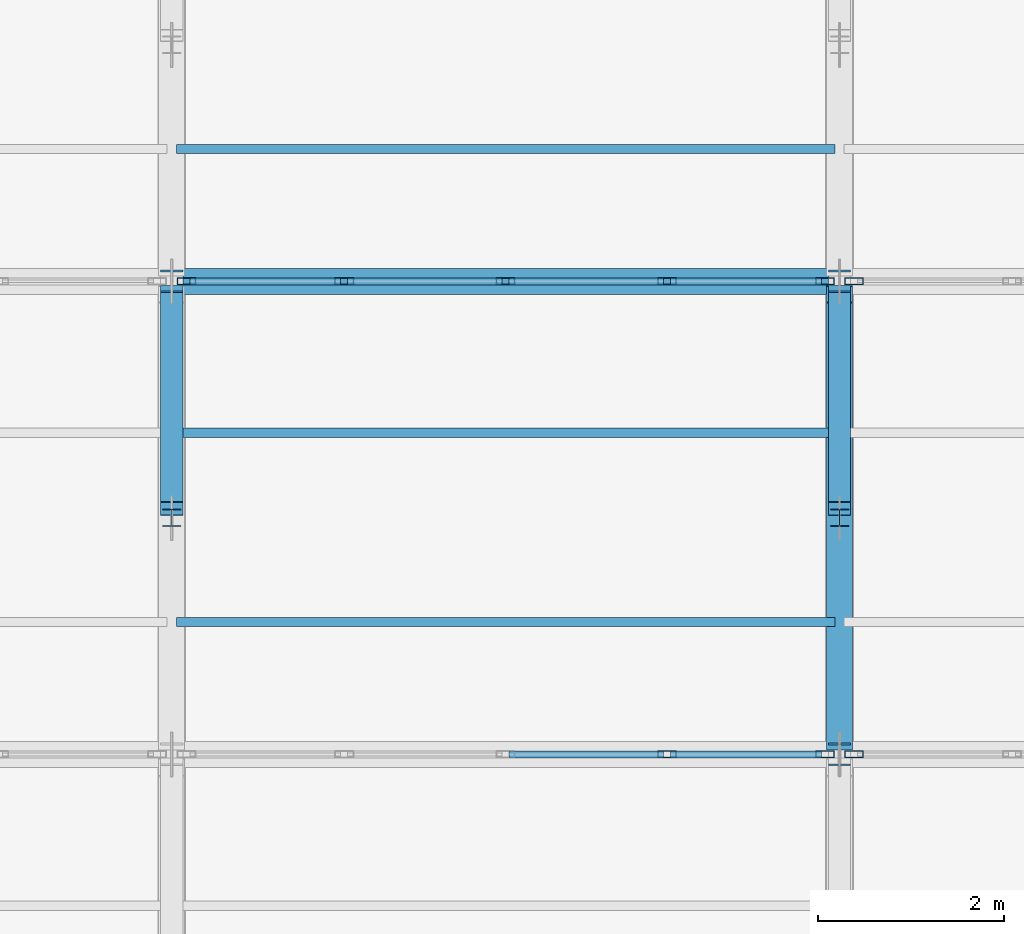
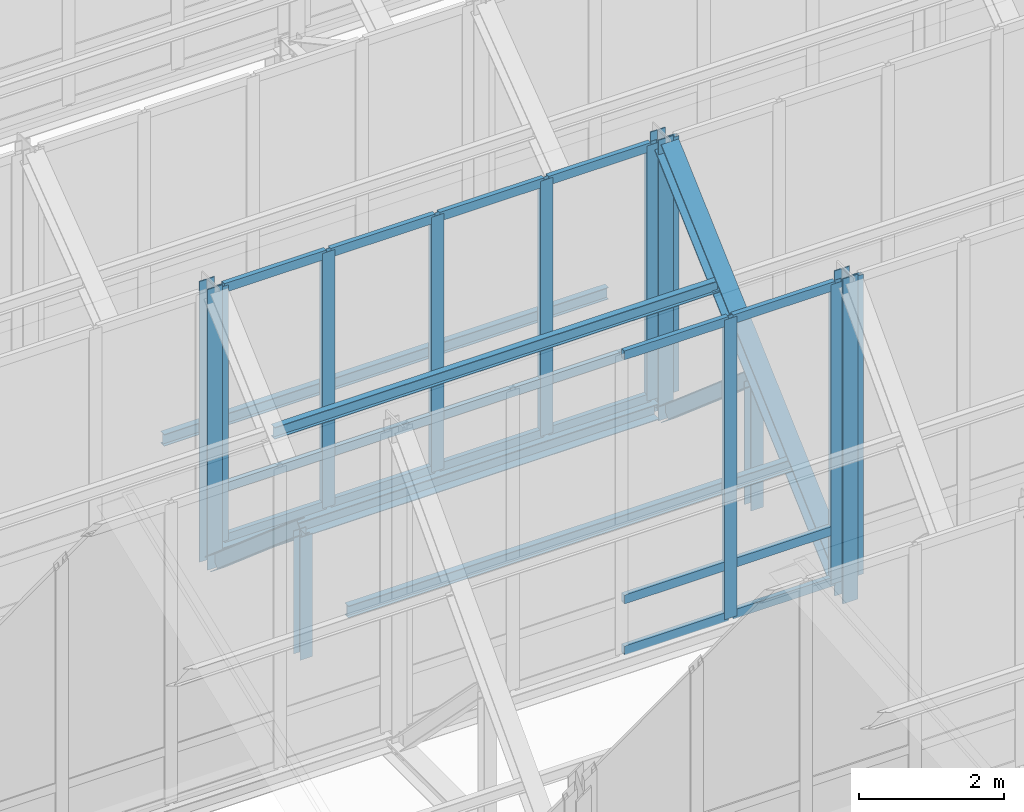
# One storey, part 53 of 157: 38 members, 1 beam, 4 elements without a shape of their own.
"""IFC4 building model written with IfcOpenShell, lengths in metres."""

from ifc_helpers import new_model, si_unit, direction, frame, origin, origin_2d, place, context, subcontext, project, spatial, hollow_rectangle, i_section, extrude, material, material_profile, profile_set, type_object, element, aggregate, save


model = new_model("IFC4")

# Units and contexts
model_context = context("Model", 3, precision=1e-05, world=origin(), true_north=direction((0.0, 1.0)))
body_context = subcontext(model_context, "Body", "Model", "MODEL_VIEW")
ifc_project = project(units=[si_unit("LENGTHUNIT", "METRE"), si_unit("AREAUNIT", "SQUARE_METRE"), si_unit("VOLUMEUNIT", "CUBIC_METRE"), si_unit("PLANEANGLEUNIT", "RADIAN"), si_unit("MASSUNIT", "GRAM", prefix="KILO")], contexts=[model_context])

# Site, building, storey
site_placement = place(None, origin())
site = spatial("IfcSite", under=ifc_project, at=site_placement, CompositionType="ELEMENT")
building_placement = place(site_placement, origin())
building = spatial("IfcBuilding", under=site, at=building_placement, Name="Suanplinth Sawtooth Commons", CompositionType="ELEMENT")
storey_placement = place(building_placement, frame((0.0, 0.0, 9.0)))
storey = spatial("IfcBuildingStorey", under=building, at=storey_placement, Name="L02", CompositionType="ELEMENT", Elevation=9.0)

# Beam
ifc_material_1 = material(Name="Steel S355JR", Category="steel")
ifc_material_profile_1 = material_profile(ifc_material_1, i_section(OverallWidth=0.280029296875, OverallDepth=0.27001953125, WebThickness=0.008056640625, FlangeThickness=0.012939453125, at=origin_2d()), Name="HEA 280")
ifc_profile_set_1 = profile_set([ifc_material_profile_1], Name="Steel S355JR")
beam_type = type_object("IfcBeamType", Name="B-16", PredefinedType="USERDEFINED", material=ifc_profile_set_1)
beam_placement = place(storey_placement, frame((86.52001953125, 75.89990234375, 2.820068359375), z_axis=(1.0, 0.0, 0.0), x_axis=(0.0, 1.0, 0.0)))
element("IfcBeam", 1, at=beam_placement, inside=storey, type_object=beam_type, Name="Sawtooth Valley Girder T6-B4", ObjectType="GIRDER", PredefinedType="USERDEFINED", context=body_context, shape_type="SweptSolid", body=[
    extrude(i_section(OverallWidth=0.280029296875, OverallDepth=0.27001953125, WebThickness=0.008056640625, FlangeThickness=0.012939453125, at=origin_2d()), origin(), (0.0, 0.0, 1.0), 6.9599609375),
])

# Members
ifc_material_profile_2 = material_profile(ifc_material_1, i_section(OverallWidth=0.280029296875, OverallDepth=0.280029296875, WebThickness=0.010498046875, FlangeThickness=0.01806640625, at=origin_2d()), Name="HEB 280")
ifc_profile_set_2 = profile_set([ifc_material_profile_2], Name="Steel S355JR")
member_type_1 = type_object("IfcMemberType", Name="M-02", PredefinedType="CHORD", material=ifc_profile_set_2)
member_1_placement = place(storey_placement, frame((93.60009765625, 70.93994140625, 2.919921875), z_axis=(0.0, 0.740839311711, 0.671682301556), x_axis=(-1.0, 0.0, 0.0)))
element("IfcMember", 2, at=member_1_placement, inside=storey, type_object=member_type_1, Name="Sawtooth Truss T5 Top Chord 5", PredefinedType="CHORD", context=body_context, shape_type="SweptSolid", body=[
    extrude(i_section(OverallWidth=0.280029296875, OverallDepth=0.280029296875, WebThickness=0.010498046875, FlangeThickness=0.01806640625, at=origin_2d()), origin(), (0.0, 0.0, 1.0), 6.50634765625),
])
ifc_material_profile_3 = material_profile(ifc_material_1, i_section(OverallWidth=0.239990234375, OverallDepth=0.22998046875, WebThickness=0.007568359375, FlangeThickness=0.011962890625, at=origin_2d()), Name="HEA 240")
ifc_profile_set_3 = profile_set([ifc_material_profile_3], Name="Steel S355JR")
member_type_2 = type_object("IfcMemberType", Name="M-03", PredefinedType="BRACE", material=ifc_profile_set_3)
for number, where, z_axis, x_axis, name in (
    (3, (86.39990234375, 73.449951171875, 4.7451171875), (0.0, 0.759593581641, -0.65039802485), (-1.0, 0.0, 0.0), "Sawtooth Truss T4 Web Diagonal 5"),
    (4, (93.60009765625, 73.449951171875, 4.7451171875), (0.0, 0.759593581641, -0.65039802485), (-1.0, 0.0, 0.0), "Sawtooth Truss T5 Web Diagonal 5"),
):
    element("IfcMember", number, at=place(storey_placement, frame(where, z_axis=z_axis, x_axis=x_axis)), inside=storey, type_object=member_type_2, Name=name, PredefinedType="BRACE", context=body_context, shape_type="SweptSolid", body=[
        extrude(i_section(OverallWidth=0.239990234375, OverallDepth=0.22998046875, WebThickness=0.007568359375, FlangeThickness=0.011962890625, at=origin_2d()), origin(), (0.0, 0.0, 1.0), 3.067626953125),
    ])
ifc_material_profile_4 = material_profile(ifc_material_1, i_section(OverallWidth=0.199951171875, OverallDepth=0.18994140625, WebThickness=0.006591796875, FlangeThickness=0.010009765625, at=origin_2d()), Name="HEA 200")
ifc_profile_set_4 = profile_set([ifc_material_profile_4], Name="Steel S355JR")
member_type_3 = type_object("IfcMemberType", Name="M-04", PredefinedType="BRACE", material=ifc_profile_set_4)
for number, where, z_axis, x_axis, name in (
    (5, (86.39990234375, 73.35009765625, 2.64990234375), (0.0, 0.0, 1.0), (1.0, 0.0, 0.0), "Sawtooth Truss T4 Mid Web Post 5"),
    (6, (93.60009765625, 73.35009765625, 2.64990234375), (0.0, 0.0, 1.0), (1.0, 0.0, 0.0), "Sawtooth Truss T5 Mid Web Post 5"),
):
    element("IfcMember", number, at=place(storey_placement, frame(where, z_axis=z_axis, x_axis=x_axis)), inside=storey, type_object=member_type_3, Name=name, PredefinedType="BRACE", context=body_context, shape_type="SweptSolid", body=[
        extrude(i_section(OverallWidth=0.199951171875, OverallDepth=0.18994140625, WebThickness=0.006591796875, FlangeThickness=0.010009765625, at=origin_2d()), origin(), (0.0, 0.0, 1.0), 2.0751953125),
    ])
ifc_material_profile_5 = material_profile(ifc_material_1, i_section(OverallWidth=0.239990234375, OverallDepth=0.239990234375, WebThickness=0.010009765625, FlangeThickness=0.01708984375, at=origin_2d()), Name="HEB 240")
ifc_profile_set_5 = profile_set([ifc_material_profile_5], Name="Steel S355JR")
member_type_4 = type_object("IfcMemberType", Name="M-05", PredefinedType="POST", material=ifc_profile_set_5)
member_2_placement = place(storey_placement, frame((86.39990234375, 75.89990234375, 2.64990234375), z_axis=(0.0, 0.0, 1.0), x_axis=(1.0, 0.0, 0.0)))
element("IfcMember", 7, at=member_2_placement, inside=storey, type_object=member_type_4, Name="Sawtooth Truss T4 Clerestory Post 5", PredefinedType="POST", context=body_context, shape_type="SweptSolid", body=[
    extrude(i_section(OverallWidth=0.239990234375, OverallDepth=0.239990234375, WebThickness=0.010009765625, FlangeThickness=0.01708984375, at=origin_2d()), origin(), (0.0, 0.0, 1.0), 4.739990234375),
])
member_3_placement = place(storey_placement, frame((93.60009765625, 70.800048828125, 2.64990234375), z_axis=(0.0, 0.0, 1.0), x_axis=(1.0, 0.0, 0.0)))
element("IfcMember", 8, at=member_3_placement, inside=storey, type_object=member_type_4, Name="Sawtooth Truss T5 Clerestory Post 4", PredefinedType="POST", context=body_context, shape_type="SweptSolid", body=[
    extrude(i_section(OverallWidth=0.239990234375, OverallDepth=0.239990234375, WebThickness=0.010009765625, FlangeThickness=0.01708984375, at=origin_2d()), origin(), (0.0, 0.0, 1.0), 5.489990234375),
])
member_4_placement = place(storey_placement, frame((93.60009765625, 75.89990234375, 2.64990234375), z_axis=(0.0, 0.0, 1.0), x_axis=(1.0, 0.0, 0.0)))
element("IfcMember", 9, at=member_4_placement, inside=storey, type_object=member_type_4, Name="Sawtooth Truss T5 Clerestory Post 5", PredefinedType="POST", context=body_context, shape_type="SweptSolid", body=[
    extrude(i_section(OverallWidth=0.239990234375, OverallDepth=0.239990234375, WebThickness=0.010009765625, FlangeThickness=0.01708984375, at=origin_2d()), origin(), (0.0, 0.0, 1.0), 4.739990234375),
])
ifc_material_2 = material(Name="Steel SS400", Category="steel")
ifc_material_profile_6 = material_profile(ifc_material_2, i_section(OverallWidth=0.10009765625, OverallDepth=0.199951171875, WebThickness=0.005615234375, FlangeThickness=0.008544921875, at=origin_2d()), Name="IPE 200")
ifc_profile_set_6 = profile_set([ifc_material_profile_6], Name="Steel SS400")
member_type_5 = type_object("IfcMemberType", Name="M-06", PredefinedType="PURLIN", material=ifc_profile_set_6)
for number, where, z_axis, x_axis, name in (
    (10, (86.449951171875, 72.22802734375, 4.067138671875), (1.0, 0.0, 0.0), (0.0, 1.0, 0.0), "Sawtooth Roof Purlin T5-B4-P1"),
    (11, (86.449951171875, 74.26806640625, 5.84716796875), (1.0, 0.0, 0.0), (0.0, 1.0, 0.0), "Sawtooth Roof Purlin T5-B4-P2"),
    (12, (86.449951171875, 77.327880859375, 3.87353515625), (1.0, 0.0, 0.0), (0.0, 1.0, 0.0), "Sawtooth Roof Purlin T6-B4-P1"),
):
    element("IfcMember", number, at=place(storey_placement, frame(where, z_axis=z_axis, x_axis=x_axis)), inside=storey, type_object=member_type_5, Name=name, PredefinedType="PURLIN", context=body_context, shape_type="SweptSolid", body=[
        extrude(i_section(OverallWidth=0.10009765625, OverallDepth=0.199951171875, WebThickness=0.005615234375, FlangeThickness=0.008544921875, at=origin_2d()), origin(), (0.0, 0.0, 1.0), 7.10009765625),
    ])

# Curtain wall, members
ifc_material_3 = material(Name="Anodized aluminium and low-E glazing", Category="aluminium")
curtain_wall_type = type_object("IfcCurtainWallType", Name="CW-03", PredefinedType="USERDEFINED", material=ifc_material_3)
curtain_wall_1_placement = place(storey_placement, origin())
curtain_wall_1 = element("IfcCurtainWall", 13, at=curtain_wall_1_placement, inside=storey, type_object=curtain_wall_type, Name="Curtain Wall CW-SAW-T4-B4", ObjectType="CURTAIN WALL", PredefinedType="USERDEFINED")
ifc_material_4 = material(Name="Anodized aluminium 6063-T6", Category="aluminium")
ifc_material_profile_7 = material_profile(ifc_material_4, hollow_rectangle(XDim=0.074951171875, YDim=0.199951171875, WallThickness=0.0048828125, at=origin_2d()), Name="ALU-MUL 75x200")
ifc_profile_set_7 = profile_set([ifc_material_profile_7], Name="Anodized aluminium 6063-T6")
member_type_6 = type_object("IfcMemberType", Name="M-14", PredefinedType="MULLION", material=ifc_profile_set_7)
member_5_placement = place(storey_placement, frame((91.739990234375, 70.800048828125, 2.97998046875), z_axis=(0.0, 0.0, 1.0), x_axis=(0.0, 1.0, 0.0)))
member_5 = element("IfcMember", 14, at=member_5_placement, type_object=member_type_6, Name="CW-03 mullion 4", PredefinedType="MULLION", context=body_context, shape_type="SweptSolid", body=[
    extrude(hollow_rectangle(XDim=0.074951171875, YDim=0.199951171875, WallThickness=0.0048828125, at=origin_2d()), origin(), (0.0, 0.0, 1.0), 5.06005859375),
])
member_6_placement = place(storey_placement, frame((93.4423828125, 70.800048828125, 2.97998046875), z_axis=(0.0, 0.0, 1.0), x_axis=(0.0, 1.0, 0.0)))
member_6 = element("IfcMember", 15, at=member_6_placement, type_object=member_type_6, Name="CW-03 mullion 5", PredefinedType="MULLION", context=body_context, shape_type="SweptSolid", body=[
    extrude(hollow_rectangle(XDim=0.074951171875, YDim=0.199951171875, WallThickness=0.0048828125, at=origin_2d()), origin(), (0.0, 0.0, 1.0), 5.06005859375),
])

# Curtain wall, member
curtain_wall_2_placement = place(storey_placement, origin())
curtain_wall_2 = element("IfcCurtainWall", 16, at=curtain_wall_2_placement, inside=storey, type_object=curtain_wall_type, Name="Curtain Wall CW-SAW-T4-B5", ObjectType="CURTAIN WALL", PredefinedType="USERDEFINED")
member_7_placement = place(storey_placement, frame((93.757568359375, 70.800048828125, 2.97998046875), z_axis=(0.0, 0.0, 1.0), x_axis=(0.0, 1.0, 0.0)))
member_7 = element("IfcMember", 17, at=member_7_placement, type_object=member_type_6, Name="CW-03 mullion 1", PredefinedType="MULLION", context=body_context, shape_type="SweptSolid", body=[
    extrude(hollow_rectangle(XDim=0.074951171875, YDim=0.199951171875, WallThickness=0.0048828125, at=origin_2d()), origin(), (0.0, 0.0, 1.0), 5.06005859375),
])
aggregate(curtain_wall_2, [member_7])

# Curtain wall, members
curtain_wall_3_placement = place(storey_placement, origin())
curtain_wall_3 = element("IfcCurtainWall", 18, at=curtain_wall_3_placement, inside=storey, type_object=curtain_wall_type, Name="Curtain Wall CW-SAW-T5-B4", ObjectType="CURTAIN WALL", PredefinedType="USERDEFINED")
member_8_placement = place(storey_placement, frame((86.5576171875, 75.89990234375, 2.97998046875), z_axis=(0.0, 0.0, 1.0), x_axis=(0.0, 1.0, 0.0)))
member_8 = element("IfcMember", 19, at=member_8_placement, type_object=member_type_6, Name="CW-03 mullion 1", PredefinedType="MULLION", context=body_context, shape_type="SweptSolid", body=[
    extrude(hollow_rectangle(XDim=0.074951171875, YDim=0.199951171875, WallThickness=0.0048828125, at=origin_2d()), origin(), (0.0, 0.0, 1.0), 4.31005859375),
])
member_9_placement = place(storey_placement, frame((88.260009765625, 75.89990234375, 2.97998046875), z_axis=(0.0, 0.0, 1.0), x_axis=(0.0, 1.0, 0.0)))
member_9 = element("IfcMember", 20, at=member_9_placement, type_object=member_type_6, Name="CW-03 mullion 2", PredefinedType="MULLION", context=body_context, shape_type="SweptSolid", body=[
    extrude(hollow_rectangle(XDim=0.074951171875, YDim=0.199951171875, WallThickness=0.0048828125, at=origin_2d()), origin(), (0.0, 0.0, 1.0), 4.31005859375),
])
member_10_placement = place(storey_placement, frame((90.0, 75.89990234375, 2.97998046875), z_axis=(0.0, 0.0, 1.0), x_axis=(0.0, 1.0, 0.0)))
member_10 = element("IfcMember", 21, at=member_10_placement, type_object=member_type_6, Name="CW-03 mullion 3", PredefinedType="MULLION", context=body_context, shape_type="SweptSolid", body=[
    extrude(hollow_rectangle(XDim=0.074951171875, YDim=0.199951171875, WallThickness=0.0048828125, at=origin_2d()), origin(), (0.0, 0.0, 1.0), 4.31005859375),
])
member_11_placement = place(storey_placement, frame((91.739990234375, 75.89990234375, 2.97998046875), z_axis=(0.0, 0.0, 1.0), x_axis=(0.0, 1.0, 0.0)))
member_11 = element("IfcMember", 22, at=member_11_placement, type_object=member_type_6, Name="CW-03 mullion 4", PredefinedType="MULLION", context=body_context, shape_type="SweptSolid", body=[
    extrude(hollow_rectangle(XDim=0.074951171875, YDim=0.199951171875, WallThickness=0.0048828125, at=origin_2d()), origin(), (0.0, 0.0, 1.0), 4.31005859375),
])
member_12_placement = place(storey_placement, frame((93.4423828125, 75.89990234375, 2.97998046875), z_axis=(0.0, 0.0, 1.0), x_axis=(0.0, 1.0, 0.0)))
member_12 = element("IfcMember", 23, at=member_12_placement, type_object=member_type_6, Name="CW-03 mullion 5", PredefinedType="MULLION", context=body_context, shape_type="SweptSolid", body=[
    extrude(hollow_rectangle(XDim=0.074951171875, YDim=0.199951171875, WallThickness=0.0048828125, at=origin_2d()), origin(), (0.0, 0.0, 1.0), 4.31005859375),
])

# Curtain wall, member
curtain_wall_4_placement = place(storey_placement, origin())
curtain_wall_4 = element("IfcCurtainWall", 24, at=curtain_wall_4_placement, inside=storey, type_object=curtain_wall_type, Name="Curtain Wall CW-SAW-T5-B5", ObjectType="CURTAIN WALL", PredefinedType="USERDEFINED")
member_13_placement = place(storey_placement, frame((93.757568359375, 75.89990234375, 2.97998046875), z_axis=(0.0, 0.0, 1.0), x_axis=(0.0, 1.0, 0.0)))
member_13 = element("IfcMember", 25, at=member_13_placement, type_object=member_type_6, Name="CW-03 mullion 1", PredefinedType="MULLION", context=body_context, shape_type="SweptSolid", body=[
    extrude(hollow_rectangle(XDim=0.074951171875, YDim=0.199951171875, WallThickness=0.0048828125, at=origin_2d()), origin(), (0.0, 0.0, 1.0), 4.31005859375),
])
aggregate(curtain_wall_4, [member_13])

# Member
ifc_material_profile_8 = material_profile(ifc_material_4, hollow_rectangle(XDim=0.074951171875, YDim=0.14990234375, WallThickness=0.00439453125, at=origin_2d()), Name="ALU-TRN 75x150")
ifc_profile_set_8 = profile_set([ifc_material_profile_8], Name="Anodized aluminium 6063-T6")
member_type_7 = type_object("IfcMemberType", Name="M-16", PredefinedType="USERDEFINED", material=ifc_profile_set_8)
member_14_placement = place(storey_placement, frame((90.03759765625, 70.800048828125, 3.017578125), z_axis=(1.0, 0.0, 0.0), x_axis=(0.0, 1.0, 0.0)))
member_14 = element("IfcMember", 26, at=member_14_placement, type_object=member_type_7, Name="CW-03 transom 3.1", ObjectType="TRANSOM", PredefinedType="USERDEFINED", context=body_context, shape_type="SweptSolid", body=[
    extrude(hollow_rectangle(XDim=0.074951171875, YDim=0.14990234375, WallThickness=0.00439453125, at=origin_2d()), origin(), (0.0, 0.0, 1.0), 1.664794921875),
])

member_15_placement = place(storey_placement, frame((90.03759765625, 70.800048828125, 3.8798828125), z_axis=(1.0, 0.0, 0.0), x_axis=(0.0, 1.0, 0.0)))
member_15 = element("IfcMember", 27, at=member_15_placement, type_object=member_type_7, Name="CW-03 transom 3.2", ObjectType="TRANSOM", PredefinedType="USERDEFINED", context=body_context, shape_type="SweptSolid", body=[
    extrude(hollow_rectangle(XDim=0.074951171875, YDim=0.14990234375, WallThickness=0.00439453125, at=origin_2d()), origin(), (0.0, 0.0, 1.0), 1.664794921875),
])

member_16_placement = place(storey_placement, frame((90.03759765625, 70.800048828125, 8.00244140625), z_axis=(1.0, 0.0, 0.0), x_axis=(0.0, 1.0, 0.0)))
member_16 = element("IfcMember", 28, at=member_16_placement, type_object=member_type_7, Name="CW-03 transom 3.3", ObjectType="TRANSOM", PredefinedType="USERDEFINED", context=body_context, shape_type="SweptSolid", body=[
    extrude(hollow_rectangle(XDim=0.074951171875, YDim=0.14990234375, WallThickness=0.00439453125, at=origin_2d()), origin(), (0.0, 0.0, 1.0), 1.664794921875),
])

member_17_placement = place(storey_placement, frame((91.777587890625, 70.800048828125, 3.017578125), z_axis=(1.0, 0.0, 0.0), x_axis=(0.0, 1.0, 0.0)))
member_17 = element("IfcMember", 29, at=member_17_placement, type_object=member_type_7, Name="CW-03 transom 4.1", ObjectType="TRANSOM", PredefinedType="USERDEFINED", context=body_context, shape_type="SweptSolid", body=[
    extrude(hollow_rectangle(XDim=0.074951171875, YDim=0.14990234375, WallThickness=0.00439453125, at=origin_2d()), origin(), (0.0, 0.0, 1.0), 1.62744140625),
])

member_18_placement = place(storey_placement, frame((91.777587890625, 70.800048828125, 3.8798828125), z_axis=(1.0, 0.0, 0.0), x_axis=(0.0, 1.0, 0.0)))
member_18 = element("IfcMember", 30, at=member_18_placement, type_object=member_type_7, Name="CW-03 transom 4.2", ObjectType="TRANSOM", PredefinedType="USERDEFINED", context=body_context, shape_type="SweptSolid", body=[
    extrude(hollow_rectangle(XDim=0.074951171875, YDim=0.14990234375, WallThickness=0.00439453125, at=origin_2d()), origin(), (0.0, 0.0, 1.0), 1.62744140625),
])

member_19_placement = place(storey_placement, frame((91.777587890625, 70.800048828125, 8.00244140625), z_axis=(1.0, 0.0, 0.0), x_axis=(0.0, 1.0, 0.0)))
member_19 = element("IfcMember", 31, at=member_19_placement, type_object=member_type_7, Name="CW-03 transom 4.3", ObjectType="TRANSOM", PredefinedType="USERDEFINED", context=body_context, shape_type="SweptSolid", body=[
    extrude(hollow_rectangle(XDim=0.074951171875, YDim=0.14990234375, WallThickness=0.00439453125, at=origin_2d()), origin(), (0.0, 0.0, 1.0), 1.62744140625),
])

aggregate(curtain_wall_1, [member_5, member_6, member_14, member_15, member_16, member_17, member_18, member_19])

member_20_placement = place(storey_placement, frame((86.594970703125, 75.89990234375, 3.017578125), z_axis=(1.0, 0.0, 0.0), x_axis=(0.0, 1.0, 0.0)))
member_20 = element("IfcMember", 32, at=member_20_placement, type_object=member_type_7, Name="CW-03 transom 1.1", ObjectType="TRANSOM", PredefinedType="USERDEFINED", context=body_context, shape_type="SweptSolid", body=[
    extrude(hollow_rectangle(XDim=0.074951171875, YDim=0.14990234375, WallThickness=0.00439453125, at=origin_2d()), origin(), (0.0, 0.0, 1.0), 1.62744140625),
])

member_21_placement = place(storey_placement, frame((86.594970703125, 75.89990234375, 3.8798828125), z_axis=(1.0, 0.0, 0.0), x_axis=(0.0, 1.0, 0.0)))
member_21 = element("IfcMember", 33, at=member_21_placement, type_object=member_type_7, Name="CW-03 transom 1.2", ObjectType="TRANSOM", PredefinedType="USERDEFINED", context=body_context, shape_type="SweptSolid", body=[
    extrude(hollow_rectangle(XDim=0.074951171875, YDim=0.14990234375, WallThickness=0.00439453125, at=origin_2d()), origin(), (0.0, 0.0, 1.0), 1.62744140625),
])

member_22_placement = place(storey_placement, frame((86.594970703125, 75.89990234375, 7.25244140625), z_axis=(1.0, 0.0, 0.0), x_axis=(0.0, 1.0, 0.0)))
member_22 = element("IfcMember", 34, at=member_22_placement, type_object=member_type_7, Name="CW-03 transom 1.3", ObjectType="TRANSOM", PredefinedType="USERDEFINED", context=body_context, shape_type="SweptSolid", body=[
    extrude(hollow_rectangle(XDim=0.074951171875, YDim=0.14990234375, WallThickness=0.00439453125, at=origin_2d()), origin(), (0.0, 0.0, 1.0), 1.62744140625),
])

member_23_placement = place(storey_placement, frame((88.297607421875, 75.89990234375, 3.017578125), z_axis=(1.0, 0.0, 0.0), x_axis=(0.0, 1.0, 0.0)))
member_23 = element("IfcMember", 35, at=member_23_placement, type_object=member_type_7, Name="CW-03 transom 2.1", ObjectType="TRANSOM", PredefinedType="USERDEFINED", context=body_context, shape_type="SweptSolid", body=[
    extrude(hollow_rectangle(XDim=0.074951171875, YDim=0.14990234375, WallThickness=0.00439453125, at=origin_2d()), origin(), (0.0, 0.0, 1.0), 1.664794921875),
])

member_24_placement = place(storey_placement, frame((88.297607421875, 75.89990234375, 3.8798828125), z_axis=(1.0, 0.0, 0.0), x_axis=(0.0, 1.0, 0.0)))
member_24 = element("IfcMember", 36, at=member_24_placement, type_object=member_type_7, Name="CW-03 transom 2.2", ObjectType="TRANSOM", PredefinedType="USERDEFINED", context=body_context, shape_type="SweptSolid", body=[
    extrude(hollow_rectangle(XDim=0.074951171875, YDim=0.14990234375, WallThickness=0.00439453125, at=origin_2d()), origin(), (0.0, 0.0, 1.0), 1.664794921875),
])

member_25_placement = place(storey_placement, frame((88.297607421875, 75.89990234375, 7.25244140625), z_axis=(1.0, 0.0, 0.0), x_axis=(0.0, 1.0, 0.0)))
member_25 = element("IfcMember", 37, at=member_25_placement, type_object=member_type_7, Name="CW-03 transom 2.3", ObjectType="TRANSOM", PredefinedType="USERDEFINED", context=body_context, shape_type="SweptSolid", body=[
    extrude(hollow_rectangle(XDim=0.074951171875, YDim=0.14990234375, WallThickness=0.00439453125, at=origin_2d()), origin(), (0.0, 0.0, 1.0), 1.664794921875),
])

member_26_placement = place(storey_placement, frame((90.03759765625, 75.89990234375, 3.017578125), z_axis=(1.0, 0.0, 0.0), x_axis=(0.0, 1.0, 0.0)))
member_26 = element("IfcMember", 38, at=member_26_placement, type_object=member_type_7, Name="CW-03 transom 3.1", ObjectType="TRANSOM", PredefinedType="USERDEFINED", context=body_context, shape_type="SweptSolid", body=[
    extrude(hollow_rectangle(XDim=0.074951171875, YDim=0.14990234375, WallThickness=0.00439453125, at=origin_2d()), origin(), (0.0, 0.0, 1.0), 1.664794921875),
])

member_27_placement = place(storey_placement, frame((90.03759765625, 75.89990234375, 3.8798828125), z_axis=(1.0, 0.0, 0.0), x_axis=(0.0, 1.0, 0.0)))
member_27 = element("IfcMember", 39, at=member_27_placement, type_object=member_type_7, Name="CW-03 transom 3.2", ObjectType="TRANSOM", PredefinedType="USERDEFINED", context=body_context, shape_type="SweptSolid", body=[
    extrude(hollow_rectangle(XDim=0.074951171875, YDim=0.14990234375, WallThickness=0.00439453125, at=origin_2d()), origin(), (0.0, 0.0, 1.0), 1.664794921875),
])

member_28_placement = place(storey_placement, frame((90.03759765625, 75.89990234375, 7.25244140625), z_axis=(1.0, 0.0, 0.0), x_axis=(0.0, 1.0, 0.0)))
member_28 = element("IfcMember", 40, at=member_28_placement, type_object=member_type_7, Name="CW-03 transom 3.3", ObjectType="TRANSOM", PredefinedType="USERDEFINED", context=body_context, shape_type="SweptSolid", body=[
    extrude(hollow_rectangle(XDim=0.074951171875, YDim=0.14990234375, WallThickness=0.00439453125, at=origin_2d()), origin(), (0.0, 0.0, 1.0), 1.664794921875),
])

member_29_placement = place(storey_placement, frame((91.777587890625, 75.89990234375, 3.017578125), z_axis=(1.0, 0.0, 0.0), x_axis=(0.0, 1.0, 0.0)))
member_29 = element("IfcMember", 41, at=member_29_placement, type_object=member_type_7, Name="CW-03 transom 4.1", ObjectType="TRANSOM", PredefinedType="USERDEFINED", context=body_context, shape_type="SweptSolid", body=[
    extrude(hollow_rectangle(XDim=0.074951171875, YDim=0.14990234375, WallThickness=0.00439453125, at=origin_2d()), origin(), (0.0, 0.0, 1.0), 1.62744140625),
])

member_30_placement = place(storey_placement, frame((91.777587890625, 75.89990234375, 3.8798828125), z_axis=(1.0, 0.0, 0.0), x_axis=(0.0, 1.0, 0.0)))
member_30 = element("IfcMember", 42, at=member_30_placement, type_object=member_type_7, Name="CW-03 transom 4.2", ObjectType="TRANSOM", PredefinedType="USERDEFINED", context=body_context, shape_type="SweptSolid", body=[
    extrude(hollow_rectangle(XDim=0.074951171875, YDim=0.14990234375, WallThickness=0.00439453125, at=origin_2d()), origin(), (0.0, 0.0, 1.0), 1.62744140625),
])

member_31_placement = place(storey_placement, frame((91.777587890625, 75.89990234375, 7.25244140625), z_axis=(1.0, 0.0, 0.0), x_axis=(0.0, 1.0, 0.0)))
member_31 = element("IfcMember", 43, at=member_31_placement, type_object=member_type_7, Name="CW-03 transom 4.3", ObjectType="TRANSOM", PredefinedType="USERDEFINED", context=body_context, shape_type="SweptSolid", body=[
    extrude(hollow_rectangle(XDim=0.074951171875, YDim=0.14990234375, WallThickness=0.00439453125, at=origin_2d()), origin(), (0.0, 0.0, 1.0), 1.62744140625),
])

aggregate(curtain_wall_3, [member_8, member_9, member_10, member_11, member_12, member_20, member_21, member_22, member_23, member_24, member_25, member_26, member_27, member_28, member_29, member_30, member_31])

save(model, "model.ifc")
